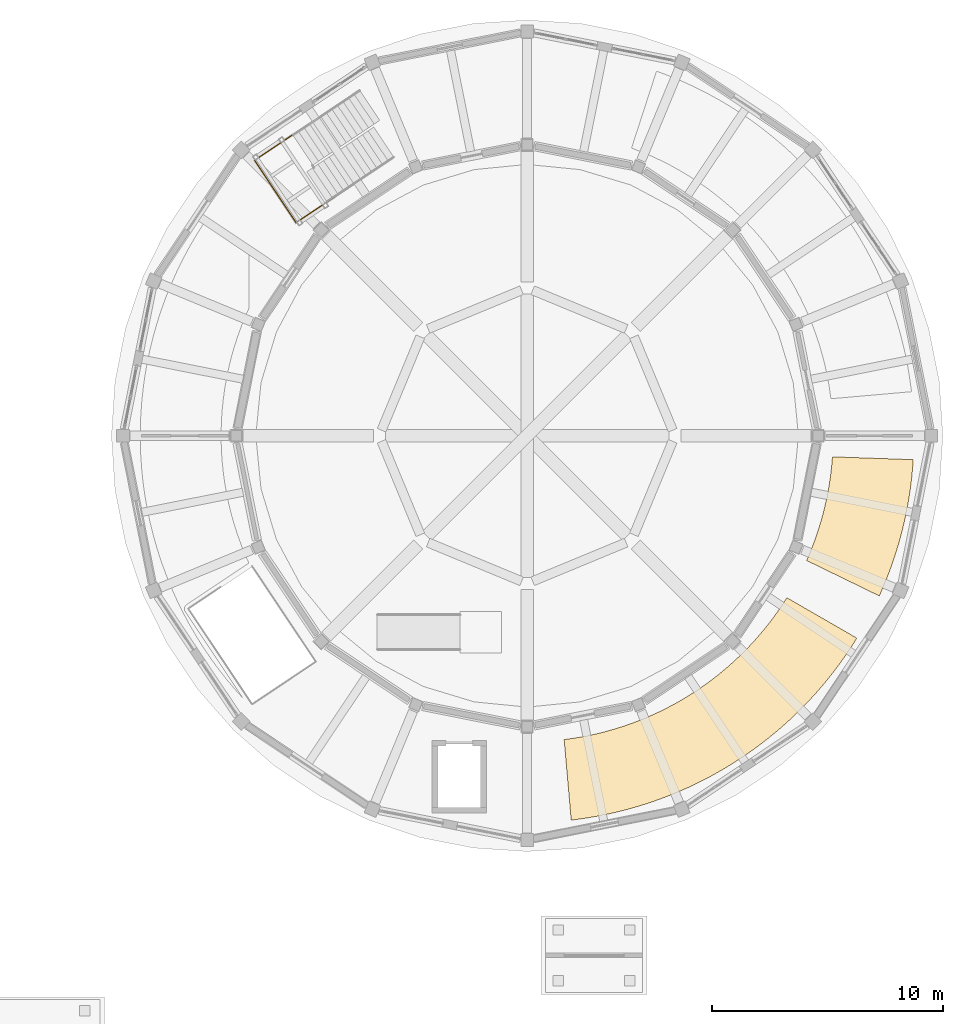
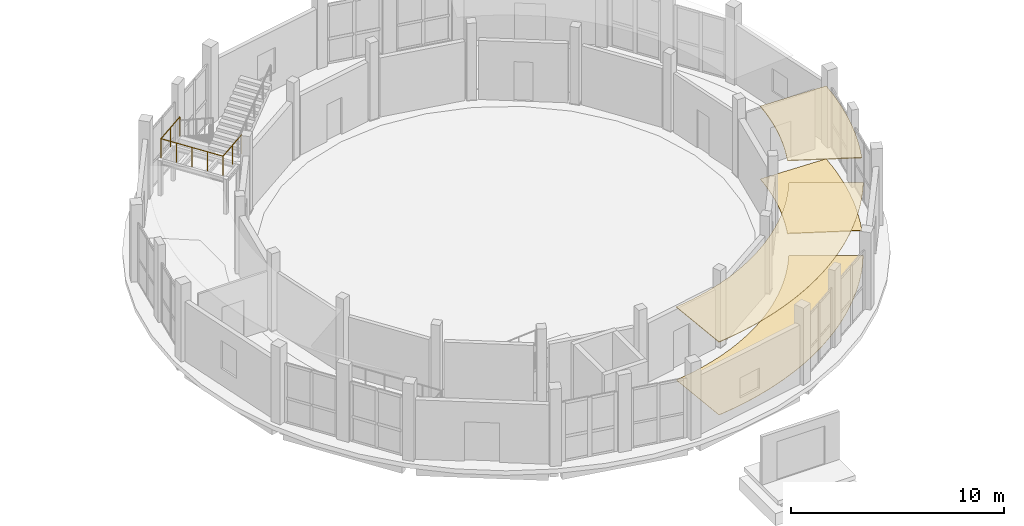
# One storey, part 90 of 92: 4 coverings, 1 railing.
"""IFC4 building model written with IfcOpenShell, lengths in metres."""

from ifc_helpers import new_model, si_unit, direction, frame, origin, origin_2d, place, context, subcontext, project, spatial, polyline, circle, outline, extrude, material, layer, layer_set, type_object, element, save


model = new_model("IFC4")

# Units and contexts
model_context = context("Model", 3, precision=1e-05, world=origin(), true_north=direction((0.0, 1.0)))
body_context = subcontext(model_context, "Body", "Model", "MODEL_VIEW")
ifc_project = project(units=[si_unit("LENGTHUNIT", "METRE"), si_unit("AREAUNIT", "SQUARE_METRE"), si_unit("VOLUMEUNIT", "CUBIC_METRE"), si_unit("PLANEANGLEUNIT", "RADIAN"), si_unit("MASSUNIT", "GRAM", prefix="KILO")], contexts=[model_context])

# Site, building, storey
site_placement = place(None, origin())
site = spatial("IfcSite", under=ifc_project, at=site_placement, CompositionType="ELEMENT")
building_placement = place(site_placement, origin())
building = spatial("IfcBuilding", under=site, at=building_placement, Name="Caldaven Crescent School", CompositionType="ELEMENT")
storey_placement = place(building_placement, origin())
storey = spatial("IfcBuildingStorey", under=building, at=storey_placement, Name="L00", CompositionType="ELEMENT", Elevation=0.0)

# Coverings
ifc_material_1 = material(Name="Perforated Pino Radiata acoustic timber baffle ceiling", Category="wood")
ifc_layer_1 = layer(ifc_material_1, 0.0380859375)
ifc_layer_set_1 = layer_set([ifc_layer_1], Name="Perforated Pino Radiata acoustic timber baffle ceiling")
covering_type_1 = type_object("IfcCoveringType", Name="COV-CLG2", PredefinedType="CEILING", material=ifc_layer_set_1)
covering_1_placement = place(storey_placement, frame((0.0, 0.0, 4.162109375)))
element("IfcCovering", 1, at=covering_1_placement, inside=storey, type_object=covering_type_1, Name="CLG-L00-009", PredefinedType="CEILING", context=body_context, shape_type="SweptSolid", body=[
    extrude(outline(polyline([(154.1142578125, 85.3486328125), (154.548828125, 85.409423828125), (154.56396484375, 85.411865234375), (154.996337890625, 85.4873046875), (155.011474609375, 85.490234375), (155.44091796875, 85.58056640625), (155.4560546875, 85.583984375), (155.882080078125, 85.68896484375), (155.896728515625, 85.69287109375), (156.319091796875, 85.8125), (156.333984375, 85.81689453125), (156.751708984375, 85.95068359375), (156.766357421875, 85.955810546875), (157.179443359375, 86.103759765625), (157.19384765625, 86.109375), (157.6015625, 86.271484375), (157.61572265625, 86.277587890625), (158.017578125, 86.45361328125), (158.03173828125, 86.4599609375), (158.42724609375, 86.649658203125), (158.441162109375, 86.65673828125), (158.830078125, 86.860107421875), (158.843505859375, 86.8671875), (159.225341796875, 87.083740234375), (159.23876953125, 87.091552734375), (159.61279296875, 87.321044921875), (159.625732421875, 87.329345703125), (159.99169921875, 87.5712890625), (160.00439453125, 87.580078125), (160.36181640625, 87.83447265625), (160.374267578125, 87.84375), (160.722900390625, 88.1103515625), (160.73486328125, 88.119873046875), (161.07421875, 88.398193359375), (161.085693359375, 88.408203125), (161.415283203125, 88.697998046875), (161.4267578125, 88.70849609375), (161.74609375, 89.009521484375), (161.757080078125, 89.02001953125), (162.06591796875, 89.331787109375), (162.07666015625, 89.343017578125), (162.37451171875, 89.665283203125), (162.384765625, 89.6767578125), (162.671630859375, 90.0087890625), (162.681396484375, 90.020751953125), (162.956787109375, 90.362548828125), (162.96630859375, 90.374755859375), (163.2294921875, 90.7255859375), (163.238525390625, 90.73828125), (163.48974609375, 91.09814453125), (163.498291015625, 91.11083984375), (163.73681640625, 91.47900390625), (163.7431640625, 91.489013671875), (166.774169921875, 89.7392578125), (166.710205078125, 89.6328125), (166.39794921875, 89.15087890625), (166.0693359375, 88.679931640625), (165.724853515625, 88.220703125), (165.36474609375, 87.7734375), (164.989501953125, 87.338623046875), (164.599609375, 86.917236328125), (164.1953125, 86.50927734375), (163.777587890625, 86.115478515625), (163.346435546875, 85.736083984375), (162.902587890625, 85.371826171875), (162.446533203125, 85.02294921875), (161.978759765625, 84.690185546875), (161.499755859375, 84.373291015625), (161.01025390625, 84.072998046875), (160.5107421875, 83.789794921875), (160.001708984375, 83.52392578125), (159.484130859375, 83.275634765625), (158.9580078125, 83.045166015625), (158.424560546875, 82.8330078125), (157.884033203125, 82.638916015625), (157.337158203125, 82.4638671875), (156.78466796875, 82.307373046875), (156.227294921875, 82.169921875), (155.665283203125, 82.052001953125), (155.099609375, 81.952880859375), (154.531005859375, 81.87353515625), (154.407470703125, 81.860595703125), (154.102294921875, 85.347412109375), (154.1142578125, 85.3486328125)])), origin(), (0.0, 0.0, 1.0), 0.037841796875),
])
ifc_layer_2 = layer(ifc_material_1, 0.0458984375)
ifc_layer_set_2 = layer_set([ifc_layer_2], Name="Perforated Pino Radiata acoustic timber baffle ceiling")
covering_type_2 = type_object("IfcCoveringType", Name="COV-CLG3", PredefinedType="CEILING", material=ifc_layer_set_2)
covering_2_placement = place(storey_placement, frame((0.0, 0.0, 4.154052734375)))
element("IfcCovering", 2, at=covering_2_placement, inside=storey, type_object=covering_type_2, Name="CLG-L00-010", PredefinedType="CEILING", context=body_context, shape_type="SweptSolid", body=[
    extrude(outline(polyline([(164.601318359375, 93.103759765625), (164.607666015625, 93.117919921875), (164.7822265625, 93.529052734375), (164.7880859375, 93.543701171875), (164.9482421875, 93.960693359375), (164.95361328125, 93.9755859375), (165.09912109375, 94.398193359375), (165.103759765625, 94.4130859375), (165.234375, 94.840087890625), (165.23876953125, 94.855224609375), (165.3544921875, 95.286865234375), (165.3583984375, 95.30224609375), (165.458740234375, 95.737548828125), (165.4619140625, 95.7529296875), (165.547119140625, 96.19140625), (165.550048828125, 96.206787109375), (165.619873046875, 96.648193359375), (165.6220703125, 96.663818359375), (165.676513671875, 97.107177734375), (165.67822265625, 97.122802734375), (165.717041015625, 97.56787109375), (165.71826171875, 97.58349609375), (165.718505859375, 97.588134765625), (169.21630859375, 97.466064453125), (169.208984375, 97.33154296875), (169.158203125, 96.7490234375), (169.0869140625, 96.168701171875), (168.99560546875, 95.591552734375), (168.8837890625, 95.017578125), (168.75244140625, 94.44775390625), (168.60107421875, 93.883056640625), (168.43017578125, 93.323974609375), (168.23974609375, 92.771240234375), (168.0302734375, 92.225341796875), (167.8017578125, 91.687255859375), (167.7451171875, 91.565185546875), (164.599365234375, 93.099365234375), (164.601318359375, 93.103759765625)])), origin(), (0.0, 0.0, 1.0), 0.0458984375),
])
ifc_material_2 = material(Name="Polished terrazzo and acoustic linoleum flooring")
ifc_layer_3 = layer(ifc_material_2, 0.02001953125)
ifc_layer_set_3 = layer_set([ifc_layer_3], Name="Polished terrazzo and acoustic linoleum flooring")
covering_type_3 = type_object("IfcCoveringType", Name="COV-FLR1", PredefinedType="FLOORING", material=ifc_layer_set_3)
covering_3_placement = place(storey_placement, origin())
element("IfcCovering", 3, at=covering_3_placement, inside=storey, type_object=covering_type_3, Name="FLR-L00-009", PredefinedType="FLOORING", context=body_context, shape_type="SweptSolid", body=[
    extrude(outline(polyline([(154.102294921875, 85.347412109375), (154.1142578125, 85.3486328125), (154.548828125, 85.409423828125), (154.56396484375, 85.411865234375), (154.996337890625, 85.4873046875), (155.011474609375, 85.490234375), (155.44091796875, 85.58056640625), (155.4560546875, 85.583984375), (155.882080078125, 85.68896484375), (155.896728515625, 85.69287109375), (156.319091796875, 85.8125), (156.333984375, 85.81689453125), (156.751708984375, 85.95068359375), (156.766357421875, 85.955810546875), (157.179443359375, 86.103759765625), (157.19384765625, 86.109375), (157.6015625, 86.271484375), (157.61572265625, 86.277587890625), (158.017578125, 86.45361328125), (158.03173828125, 86.4599609375), (158.42724609375, 86.649658203125), (158.441162109375, 86.65673828125), (158.830078125, 86.860107421875), (158.843505859375, 86.8671875), (159.225341796875, 87.083740234375), (159.23876953125, 87.091552734375), (159.61279296875, 87.321044921875), (159.625732421875, 87.329345703125), (159.99169921875, 87.5712890625), (160.00439453125, 87.580078125), (160.36181640625, 87.83447265625), (160.374267578125, 87.84375), (160.722900390625, 88.1103515625), (160.73486328125, 88.119873046875), (161.07421875, 88.398193359375), (161.085693359375, 88.408203125), (161.415283203125, 88.697998046875), (161.4267578125, 88.70849609375), (161.74609375, 89.009521484375), (161.757080078125, 89.02001953125), (162.06591796875, 89.331787109375), (162.07666015625, 89.343017578125), (162.37451171875, 89.665283203125), (162.384765625, 89.6767578125), (162.671630859375, 90.0087890625), (162.681396484375, 90.020751953125), (162.956787109375, 90.362548828125), (162.96630859375, 90.374755859375), (163.2294921875, 90.7255859375), (163.238525390625, 90.73828125), (163.48974609375, 91.09814453125), (163.498291015625, 91.11083984375), (163.73681640625, 91.47900390625), (163.7431640625, 91.489013671875), (166.774169921875, 89.7392578125), (166.710205078125, 89.6328125), (166.39794921875, 89.15087890625), (166.0693359375, 88.679931640625), (165.724853515625, 88.220703125), (165.36474609375, 87.7734375), (164.989501953125, 87.338623046875), (164.599609375, 86.917236328125), (164.1953125, 86.50927734375), (163.777587890625, 86.115478515625), (163.346435546875, 85.736083984375), (162.902587890625, 85.371826171875), (162.446533203125, 85.02294921875), (161.978759765625, 84.690185546875), (161.499755859375, 84.373291015625), (161.01025390625, 84.072998046875), (160.5107421875, 83.789794921875), (160.001708984375, 83.52392578125), (159.484130859375, 83.275634765625), (158.9580078125, 83.045166015625), (158.424560546875, 82.8330078125), (157.884033203125, 82.638916015625), (157.337158203125, 82.4638671875), (156.78466796875, 82.307373046875), (156.227294921875, 82.169921875), (155.665283203125, 82.052001953125), (155.099609375, 81.952880859375), (154.531005859375, 81.87353515625), (154.407470703125, 81.860595703125), (154.102294921875, 85.347412109375)])), origin(), (0.0, 0.0, 1.0), 0.02001953125),
])
ifc_layer_4 = layer(ifc_material_2, 0.02587890625)
ifc_layer_set_4 = layer_set([ifc_layer_4], Name="Polished terrazzo and acoustic linoleum flooring")
covering_type_4 = type_object("IfcCoveringType", Name="COV-FLR2", PredefinedType="FLOORING", material=ifc_layer_set_4)
covering_4_placement = place(storey_placement, origin())
element("IfcCovering", 4, at=covering_4_placement, inside=storey, type_object=covering_type_4, Name="FLR-L00-010", PredefinedType="FLOORING", context=body_context, shape_type="SweptSolid", body=[
    extrude(outline(polyline([(164.599365234375, 93.099365234375), (164.601318359375, 93.103759765625), (164.607666015625, 93.117919921875), (164.7822265625, 93.529052734375), (164.7880859375, 93.543701171875), (164.9482421875, 93.960693359375), (164.95361328125, 93.9755859375), (165.09912109375, 94.398193359375), (165.103759765625, 94.4130859375), (165.234375, 94.840087890625), (165.23876953125, 94.855224609375), (165.3544921875, 95.286865234375), (165.3583984375, 95.30224609375), (165.458740234375, 95.737548828125), (165.4619140625, 95.7529296875), (165.547119140625, 96.19140625), (165.550048828125, 96.206787109375), (165.619873046875, 96.648193359375), (165.6220703125, 96.663818359375), (165.676513671875, 97.107177734375), (165.67822265625, 97.122802734375), (165.717041015625, 97.56787109375), (165.71826171875, 97.58349609375), (165.718505859375, 97.588134765625), (169.21630859375, 97.466064453125), (169.208984375, 97.33154296875), (169.158203125, 96.7490234375), (169.0869140625, 96.168701171875), (168.99560546875, 95.591552734375), (168.8837890625, 95.017578125), (168.75244140625, 94.44775390625), (168.60107421875, 93.883056640625), (168.43017578125, 93.323974609375), (168.23974609375, 92.771240234375), (168.0302734375, 92.225341796875), (167.8017578125, 91.687255859375), (167.7451171875, 91.565185546875), (164.599365234375, 93.099365234375)])), origin(), (0.0, 0.0, 1.0), 0.02587890625),
])

# Railing
ifc_material_3 = material(Name="Powder-coated tubular steel balustrade ASTM A572 Grade 50", Category="steel")
railing_type = type_object("IfcRailingType", Name="RAL-INT2", PredefinedType="BALUSTRADE", material=ifc_material_3)
railing_placement = place(storey_placement, frame((142.35205078125, 111.527587890625, 2.2099609375)))
element("IfcRailing", 5, at=railing_placement, inside=storey, type_object=railing_type, Name="GD-LND-STV1-L00", PredefinedType="BALUSTRADE", context=body_context, shape_type="SweptSolid", body=[
    extrude(circle(Radius=0.02392578125, at=origin_2d()), frame((0.0, 0.0, 1.09619140625), z_axis=(-0.831521451323, -0.555492642607, 0.0), x_axis=(0.555492642607, -0.831521451323, 0.0)), (0.0, 0.0, 1.0), 1.989990234375),
    extrude(circle(Radius=0.02392578125, at=origin_2d()), frame((-1.65478515625, -1.10546875, 1.09619140625), z_axis=(0.555551934466, -0.831481838714, 0.0), x_axis=(0.831481838714, 0.555551934466, 0.0)), (0.0, 0.0, 1.0), 3.239990234375),
    extrude(circle(Radius=0.02392578125, at=origin_2d()), frame((0.145263671875, -3.799560546875, 1.09619140625), z_axis=(0.831464784714, 0.555577457948, 0.0), x_axis=(-0.555577457948, 0.831464784714, 0.0)), (0.0, 0.0, 1.0), 1.990234375),
    extrude(circle(Radius=0.02099609375, at=origin_2d()), origin(), (0.0, 0.0, 1.0), 1.072021484375),
    extrude(circle(Radius=0.02099609375, at=origin_2d()), frame((-0.827392578125, -0.552734375, 0.0)), (0.0, 0.0, 1.0), 1.072021484375),
    extrude(circle(Radius=0.02099609375, at=origin_2d()), frame((-1.65478515625, -1.10546875, 0.0)), (0.0, 0.0, 1.0), 1.072021484375),
    extrude(circle(Radius=0.02099609375, at=origin_2d()), frame((-1.204833984375, -1.779052734375, 0.0)), (0.0, 0.0, 1.0), 1.072021484375),
    extrude(circle(Radius=0.02099609375, at=origin_2d()), frame((-0.7548828125, -2.45263671875, 0.0)), (0.0, 0.0, 1.0), 1.072021484375),
    extrude(circle(Radius=0.02099609375, at=origin_2d()), frame((-0.3046875, -3.1259765625, 0.0)), (0.0, 0.0, 1.0), 1.072021484375),
    extrude(circle(Radius=0.02099609375, at=origin_2d()), frame((0.145263671875, -3.799560546875, 0.0)), (0.0, 0.0, 1.0), 1.072021484375),
    extrude(circle(Radius=0.02099609375, at=origin_2d()), frame((0.97265625, -3.24658203125, 0.0)), (0.0, 0.0, 1.0), 1.072021484375),
    extrude(circle(Radius=0.02099609375, at=origin_2d()), frame((1.800048828125, -2.69384765625, 0.0)), (0.0, 0.0, 1.0), 1.072021484375),
])

save(model, "model.ifc")
